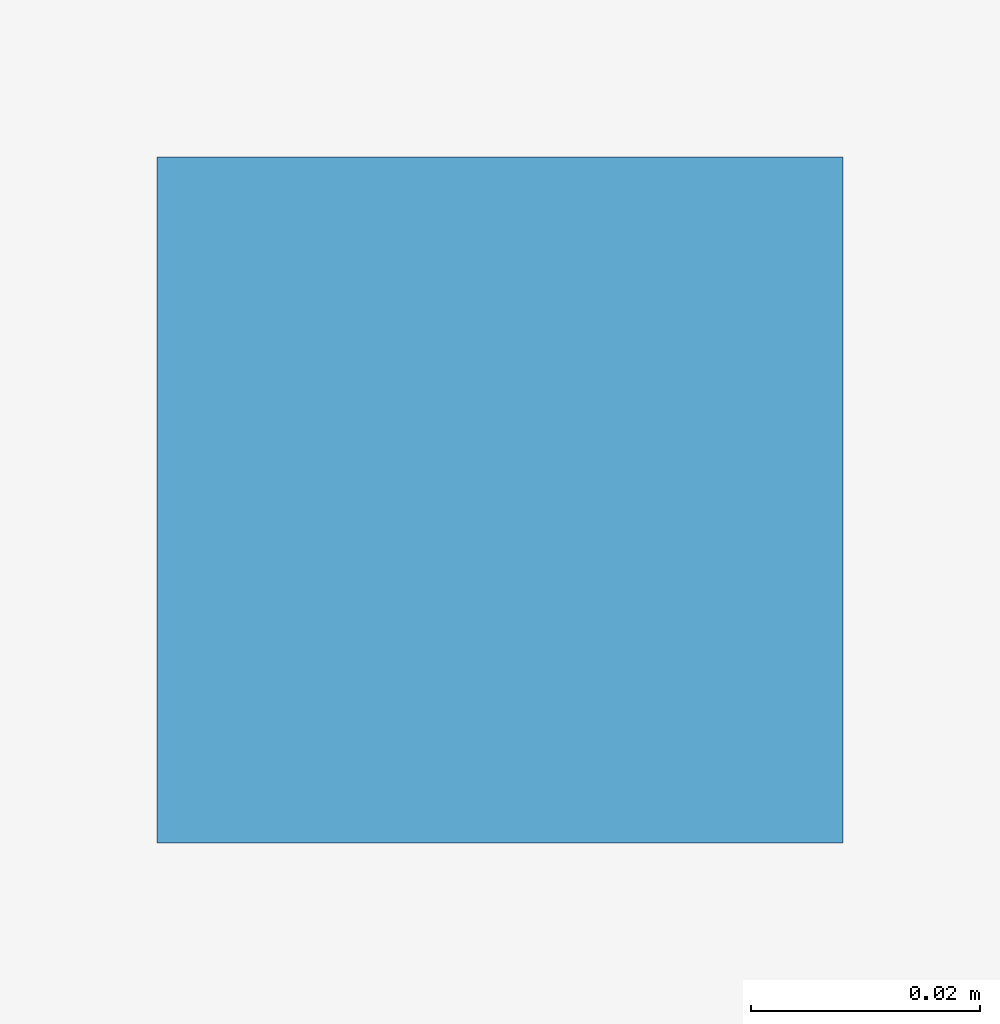
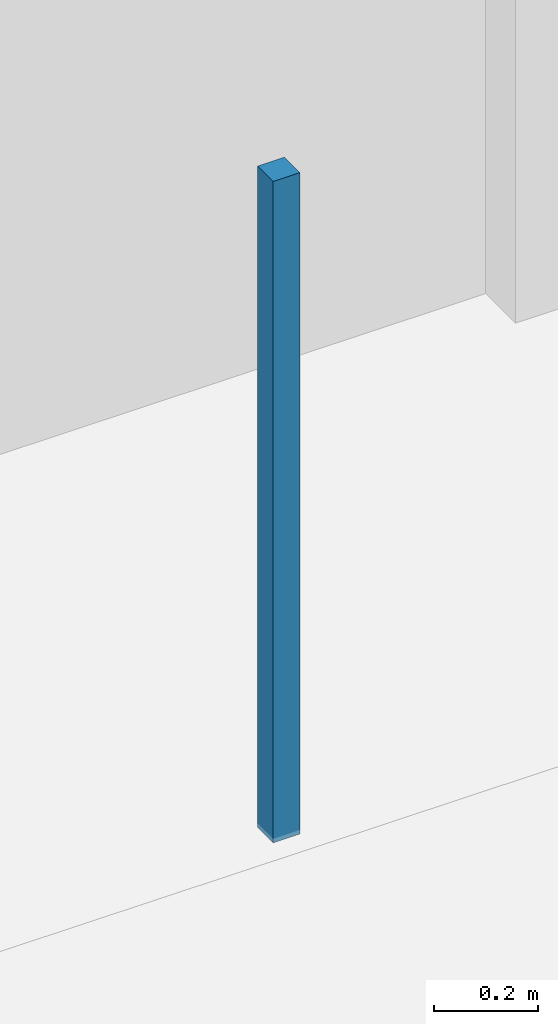
# One storey, part 34 of 44: 1 discrete accessory.
"""IFC4 building model written with IfcOpenShell, lengths in metres."""

from ifc_helpers import new_model, si_unit, direction, frame, origin, origin_2d, place, context, subcontext, project, spatial, rectangle, extrude, material, type_object, element, save


model = new_model("IFC4")

# Units and contexts
model_context = context("Model", 3, precision=1e-05, world=origin(), true_north=direction((0.0, 1.0)))
body_context = subcontext(model_context, "Body", "Model", "MODEL_VIEW")
ifc_project = project(units=[si_unit("LENGTHUNIT", "METRE"), si_unit("AREAUNIT", "SQUARE_METRE"), si_unit("VOLUMEUNIT", "CUBIC_METRE"), si_unit("PLANEANGLEUNIT", "RADIAN"), si_unit("MASSUNIT", "GRAM", prefix="KILO")], contexts=[model_context])

# Site, building, storey
site_placement = place(None, origin())
site = spatial("IfcSite", under=ifc_project, at=site_placement, CompositionType="ELEMENT")
building_placement = place(site_placement, origin())
building = spatial("IfcBuilding", under=site, at=building_placement, Name="Kaldorvane Square Convention Centre", CompositionType="ELEMENT")
storey_placement = place(building_placement, origin())
storey = spatial("IfcBuildingStorey", under=building, at=storey_placement, Name="L00", CompositionType="ELEMENT", Elevation=0.0)

# Discrete accessory
ifc_material = material(Name="Architectural Painted Steel", Category="steel")
discrete_accessory_type = type_object("IfcDiscreteAccessoryType", Name="AC-HGR-060", PredefinedType="BRACKET", material=ifc_material)
discrete_accessory_placement = place(storey_placement, frame((33.0, 11.5, 4.1300048828125), z_axis=(0.0, 0.0, 1.0), x_axis=(1.0, 0.0, 0.0)))
element("IfcDiscreteAccessory", 1, at=discrete_accessory_placement, inside=storey, type_object=discrete_accessory_type, Name="Ceiling Suspension Bracket 01 (L00)", PredefinedType="BRACKET", context=body_context, shape_type="SweptSolid", body=[
    extrude(rectangle(XDim=0.05999755859375, YDim=0.05999755859375, at=origin_2d()), origin(), (0.0, 0.0, 1.0), 1.55999755859375),
])

save(model, "model.ifc")
